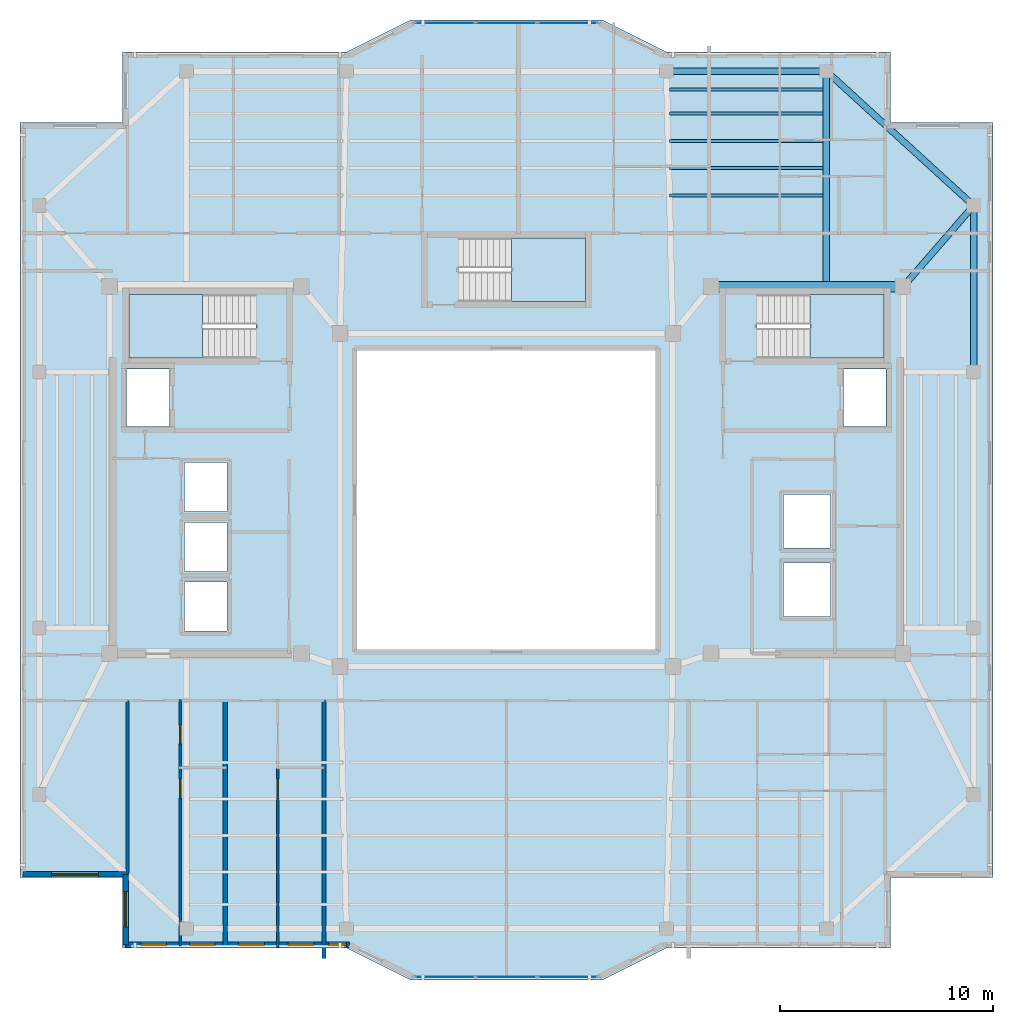
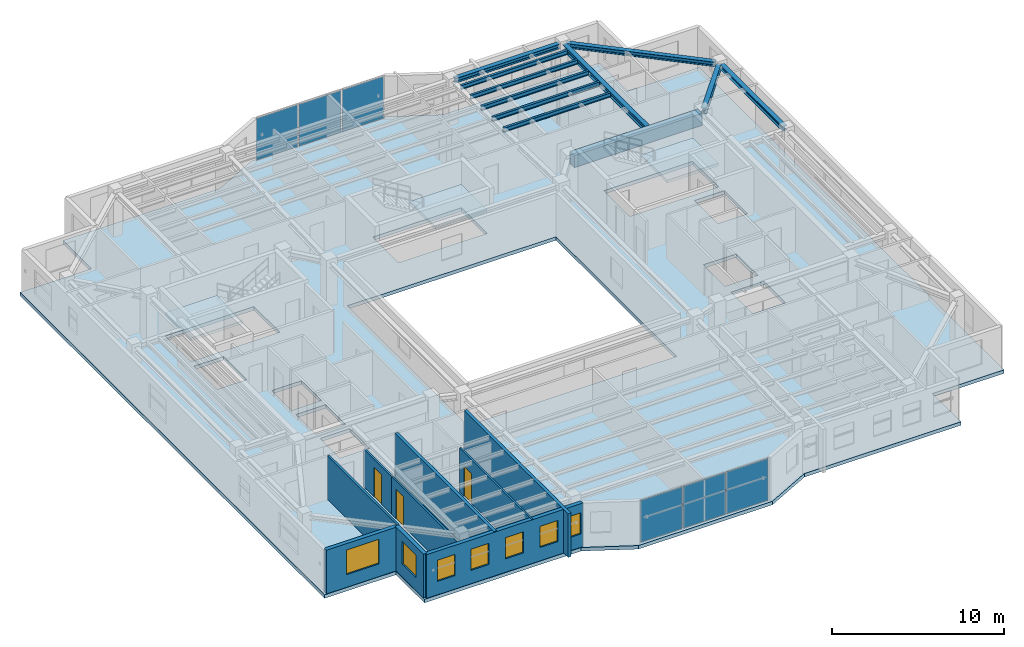
# One storey, part 5 of 14: 11 beams, 9 walls, 7 windows, 6 plates, 4 slabs, 3 doors, 10 openings, 5 elements without a shape of their own.
"""IFC4 building model written with IfcOpenShell, lengths in metres."""

from ifc_helpers import new_model, si_unit, direction, frame, frame_2d, origin, origin_2d, place, context, subcontext, project, spatial, polyline, rectangle, i_section, outline, extrude, material, layer, layer_set, material_profile, profile_set, type_object, element, fill, aggregate, save


model = new_model("IFC4")

# Units and contexts
model_context = context("Model", 3, precision=1e-05, world=origin(), true_north=direction((0.0, 1.0)))
body_context = subcontext(model_context, "Body", "Model", "MODEL_VIEW")
ifc_project = project(units=[si_unit("LENGTHUNIT", "METRE"), si_unit("AREAUNIT", "SQUARE_METRE"), si_unit("VOLUMEUNIT", "CUBIC_METRE"), si_unit("PLANEANGLEUNIT", "RADIAN"), si_unit("MASSUNIT", "GRAM", prefix="KILO")], contexts=[model_context])

# Site, building, storey
site_placement = place(None, origin())
site = spatial("IfcSite", under=ifc_project, at=site_placement, CompositionType="ELEMENT")
building_placement = place(site_placement, origin())
building = spatial("IfcBuilding", under=site, at=building_placement, Name="Tarnavaz Court Tower", CompositionType="ELEMENT")
storey_placement = place(building_placement, frame((0.0, 0.0, 254.89990234375)))
storey = spatial("IfcBuildingStorey", under=building, at=storey_placement, Name="L69", CompositionType="ELEMENT", Elevation=254.89990234375)

# Beams
ifc_material_1 = material(Name="Concrete C50/60", Category="concrete")
ifc_material_profile_1 = material_profile(ifc_material_1, rectangle(XDim=0.5, YDim=0.85009765625, at=origin_2d()), Name="RC 500X850")
ifc_profile_set_1 = profile_set([ifc_material_profile_1], Name="Concrete C50/60")
beam_type_1 = type_object("IfcBeamType", Name="BM-CB850", PredefinedType="LINTEL", material=ifc_profile_set_1)
beam_1_placement = place(storey_placement, frame((18.3798828125, 10.0, 2.675048828125), z_axis=(-1.0, 0.0, 0.0), x_axis=(0.0, -1.0, 0.0)))
element("IfcBeam", 1, at=beam_1_placement, inside=storey, type_object=beam_type_1, Name="L69 Beam IN-CE-NO-CE-NI", PredefinedType="LINTEL", context=body_context, shape_type="SweptSolid", body=[
    extrude(rectangle(XDim=0.5, YDim=0.85009765625, at=origin_2d()), origin(), (0.0, 0.0, 1.0), 8.559814453125),
])
ifc_material_2 = material(Name="Steel S355", Category="steel")
ifc_material_profile_2 = material_profile(ifc_material_2, i_section(OverallWidth=0.300048828125, OverallDepth=0.39990234375, WebThickness=0.013427734375, FlangeThickness=0.02392578125, FilletRadius=0.027099609375, at=origin_2d()), Name="HEB 400")
ifc_profile_set_2 = profile_set([ifc_material_profile_2], Name="Steel S355")
beam_type_2 = type_object("IfcBeamType", Name="BM-G-HEB400", PredefinedType="USERDEFINED", material=ifc_profile_set_2)
beam_2_placement = place(storey_placement, frame((15.0, 10.0400390625, 2.900146484375), z_axis=(0.0, 1.0, 0.0), x_axis=(-1.0, 0.0, 0.0)))
element("IfcBeam", 2, at=beam_2_placement, inside=storey, type_object=beam_type_2, Name="L69 Beam RG-04", ObjectType="GIRDER", PredefinedType="USERDEFINED", context=body_context, shape_type="SweptSolid", body=[
    extrude(i_section(OverallWidth=0.300048828125, OverallDepth=0.39990234375, WebThickness=0.013427734375, FlangeThickness=0.02392578125, FilletRadius=0.027099609375, at=origin_2d()), origin(), (0.0, 0.0, 1.0), 9.83984375),
])
beam_3_placement = place(storey_placement, frame((18.744384765625, 10.166015625, 2.900146484375), z_axis=(0.65565475567, 0.755060819648, 0.0), x_axis=(-0.755060819648, 0.65565475567, 0.0)))
element("IfcBeam", 3, at=beam_3_placement, inside=storey, type_object=beam_type_2, Name="L69 Beam RG-12", ObjectType="GIRDER", PredefinedType="USERDEFINED", context=body_context, shape_type="SweptSolid", body=[
    extrude(i_section(OverallWidth=0.300048828125, OverallDepth=0.39990234375, WebThickness=0.013427734375, FlangeThickness=0.02392578125, FilletRadius=0.027099609375, at=origin_2d()), origin(), (0.0, 0.0, 1.0), 4.5927734375),
])
ifc_material_profile_3 = material_profile(ifc_material_2, i_section(OverallWidth=0.14990234375, OverallDepth=0.300048828125, WebThickness=0.007080078125, FlangeThickness=0.0107421875, FilletRadius=0.014892578125, at=origin_2d()), Name="IPE 300")
ifc_profile_set_3 = profile_set([ifc_material_profile_3], Name="Steel S355")
beam_type_3 = type_object("IfcBeamType", Name="BM-J-IPE300", PredefinedType="JOIST", material=ifc_profile_set_3)
for number, where, z_axis, x_axis, name in (
    (4, (7.64990234375, 14.278076171875, 2.9501953125), (1.0, 0.0, 0.0), (0.0, 1.0, 0.0), "L69 Beam JN1-3"),
    (5, (7.64990234375, 15.555908203125, 2.9501953125), (1.0, 0.0, 0.0), (0.0, 1.0, 0.0), "L69 Beam JN2-3"),
    (6, (7.64990234375, 16.833984375, 2.9501953125), (1.0, 0.0, 0.0), (0.0, 1.0, 0.0), "L69 Beam JN3-3"),
    (7, (7.64990234375, 18.112060546875, 2.9501953125), (1.0, 0.0, 0.0), (0.0, 1.0, 0.0), "L69 Beam JN4-3"),
    (8, (7.64990234375, 19.248046875, 2.9501953125), (1.0, 0.0, 0.0), (0.0, 1.0, 0.0), "L69 Beam JN5-3"),
):
    element("IfcBeam", number, at=place(storey_placement, frame(where, z_axis=z_axis, x_axis=x_axis)), inside=storey, type_object=beam_type_3, Name=name, PredefinedType="JOIST", context=body_context, shape_type="SweptSolid", body=[
        extrude(i_section(OverallWidth=0.14990234375, OverallDepth=0.300048828125, WebThickness=0.007080078125, FlangeThickness=0.0107421875, FilletRadius=0.014892578125, at=origin_2d()), origin(), (0.0, 0.0, 1.0), 7.2001953125),
    ])
ifc_material_profile_4 = material_profile(ifc_material_2, i_section(OverallWidth=0.300048828125, OverallDepth=0.330078125, WebThickness=0.009521484375, FlangeThickness=0.0166015625, FilletRadius=0.027099609375, at=origin_2d()), Name="HEA 340")
ifc_profile_set_4 = profile_set([ifc_material_profile_4], Name="Steel S355")
beam_type_4 = type_object("IfcBeamType", Name="BM-SP-HEA340", PredefinedType="BEAM", material=ifc_profile_set_4)
beam_4_placement = place(storey_placement, frame((7.719970703125, 20.10009765625, 2.93505859375), z_axis=(1.0, 0.0, 0.0), x_axis=(0.0, 1.0, 0.0)))
element("IfcBeam", 9, at=beam_4_placement, inside=storey, type_object=beam_type_4, Name="L69 Beam PR-PN-3-PN-4", PredefinedType="BEAM", context=body_context, shape_type="SweptSolid", body=[
    extrude(i_section(OverallWidth=0.300048828125, OverallDepth=0.330078125, WebThickness=0.009521484375, FlangeThickness=0.0166015625, FilletRadius=0.027099609375, at=origin_2d()), origin(), (0.0, 0.0, 1.0), 7.06005859375),
])
beam_5_placement = place(storey_placement, frame((21.89990234375, 6.219970703125, 2.93505859375), z_axis=(0.0, 1.0, 0.0), x_axis=(-1.0, 0.0, 0.0)))
element("IfcBeam", 10, at=beam_5_placement, inside=storey, type_object=beam_type_4, Name="L69 Beam PR-PE-3-PE-4", PredefinedType="BEAM", context=body_context, shape_type="SweptSolid", body=[
    extrude(i_section(OverallWidth=0.300048828125, OverallDepth=0.330078125, WebThickness=0.009521484375, FlangeThickness=0.0166015625, FilletRadius=0.027099609375, at=origin_2d()), origin(), (0.0, 0.0, 1.0), 7.360107421875),
])
beam_6_placement = place(storey_placement, frame((15.16259765625, 19.95166015625, 2.93505859375), z_axis=(0.738474214476, -0.674281717499, 0.0), x_axis=(0.674281717499, 0.738474214476, 0.0)))
element("IfcBeam", 11, at=beam_6_placement, inside=storey, type_object=beam_type_4, Name="L69 Beam PR-PN-4-PE-4", PredefinedType="BEAM", context=body_context, shape_type="SweptSolid", body=[
    extrude(i_section(OverallWidth=0.300048828125, OverallDepth=0.330078125, WebThickness=0.009521484375, FlangeThickness=0.0166015625, FilletRadius=0.027099609375, at=origin_2d()), origin(), (0.0, 0.0, 1.0), 8.9033203125),
])

# Curtain wall, plates
ifc_material_3 = material(Name="Anodised Aluminium 6063-T6 and Solar Low-E Glazing", Category="aluminium")
ifc_layer_1 = layer(ifc_material_3, 0.159912109375)
ifc_layer_set_1 = layer_set([ifc_layer_1], Name="Anodised Aluminium 6063-T6 and Solar Low-E Glazing")
curtain_wall_type = type_object("IfcCurtainWallType", Name="CW-SYS-03", PredefinedType="NOTDEFINED", material=ifc_layer_set_1)
curtain_wall_1_placement = place(storey_placement, origin())
curtain_wall_1 = element("IfcCurtainWall", 12, at=curtain_wall_1_placement, inside=storey, type_object=curtain_wall_type, Name="L69 Iwan Prow Curtain Wall 7", PredefinedType="NOTDEFINED")
ifc_material_4 = material(Name="Double-Glazed Solar Low-E Glass", Category="glass")
ifc_layer_2 = layer(ifc_material_4, 0.028076171875)
ifc_layer_set_2 = layer_set([ifc_layer_2], Name="Double-Glazed Solar Low-E Glass")
plate_type = type_object("IfcPlateType", Name="CW-PAN-GLZ28", PredefinedType="CURTAIN_PANEL", material=ifc_layer_set_2)
plate_1_placement = place(storey_placement, frame((-2.88134765625, 22.35009765625, 0.06494140625), z_axis=(0.0, 0.0, 1.0), x_axis=(1.0, 0.0, 0.0)))
plate_1 = element("IfcPlate", 13, at=plate_1_placement, type_object=plate_type, Name="CW panel 1.1", PredefinedType="CURTAIN_PANEL", context=body_context, shape_type="SweptSolid", body=[
    extrude(rectangle(XDim=2.78759765625, YDim=0.028076171875, at=origin_2d()), origin(), (0.0, 0.0, 1.0), 2.969970703125),
])
plate_2_placement = place(storey_placement, frame((0.0, 22.35009765625, 0.06494140625), z_axis=(0.0, 0.0, 1.0), x_axis=(1.0, 0.0, 0.0)))
plate_2 = element("IfcPlate", 14, at=plate_2_placement, type_object=plate_type, Name="CW panel 2.1", PredefinedType="CURTAIN_PANEL", context=body_context, shape_type="SweptSolid", body=[
    extrude(rectangle(XDim=2.824951171875, YDim=0.028076171875, at=origin_2d()), origin(), (0.0, 0.0, 1.0), 2.969970703125),
])
plate_3_placement = place(storey_placement, frame((2.88134765625, 22.35009765625, 0.06494140625), z_axis=(0.0, 0.0, 1.0), x_axis=(1.0, 0.0, 0.0)))
plate_3 = element("IfcPlate", 15, at=plate_3_placement, type_object=plate_type, Name="CW panel 3.1", PredefinedType="CURTAIN_PANEL", context=body_context, shape_type="SweptSolid", body=[
    extrude(rectangle(XDim=2.78759765625, YDim=0.028076171875, at=origin_2d()), origin(), (0.0, 0.0, 1.0), 2.969970703125),
])
aggregate(curtain_wall_1, [plate_1, plate_2, plate_3])

curtain_wall_2_placement = place(storey_placement, origin())
curtain_wall_2 = element("IfcCurtainWall", 16, at=curtain_wall_2_placement, inside=storey, type_object=curtain_wall_type, Name="L69 Iwan Prow Curtain Wall 17", PredefinedType="NOTDEFINED")
plate_4_placement = place(storey_placement, frame((2.88134765625, -22.35009765625, 0.06494140625), z_axis=(0.0, 0.0, 1.0), x_axis=(-1.0, 0.0, 0.0)))
plate_4 = element("IfcPlate", 17, at=plate_4_placement, type_object=plate_type, Name="CW panel 1.1", PredefinedType="CURTAIN_PANEL", context=body_context, shape_type="SweptSolid", body=[
    extrude(rectangle(XDim=2.78759765625, YDim=0.028076171875, at=origin_2d()), origin(), (0.0, 0.0, 1.0), 2.969970703125),
])
plate_5_placement = place(storey_placement, frame((0.0, -22.35009765625, 0.06494140625), z_axis=(0.0, 0.0, 1.0), x_axis=(-1.0, 0.0, 0.0)))
plate_5 = element("IfcPlate", 18, at=plate_5_placement, type_object=plate_type, Name="CW panel 2.1", PredefinedType="CURTAIN_PANEL", context=body_context, shape_type="SweptSolid", body=[
    extrude(rectangle(XDim=2.824951171875, YDim=0.028076171875, at=origin_2d()), origin(), (0.0, 0.0, 1.0), 2.969970703125),
])
plate_6_placement = place(storey_placement, frame((-2.88134765625, -22.35009765625, 0.06494140625), z_axis=(0.0, 0.0, 1.0), x_axis=(-1.0, 0.0, 0.0)))
plate_6 = element("IfcPlate", 19, at=plate_6_placement, type_object=plate_type, Name="CW panel 3.1", PredefinedType="CURTAIN_PANEL", context=body_context, shape_type="SweptSolid", body=[
    extrude(rectangle(XDim=2.78759765625, YDim=0.028076171875, at=origin_2d()), origin(), (0.0, 0.0, 1.0), 2.969970703125),
])
aggregate(curtain_wall_2, [plate_4, plate_5, plate_6])

# Stair, slab
ifc_material_5 = material(Name="Concrete C40/50", Category="concrete")
stair_type = type_object("IfcStairType", Name="ST-TWR-20R", PredefinedType="HALF_TURN_STAIR", material=ifc_material_5)
stair_1_placement = place(storey_placement, origin())
stair_1 = element("IfcStair", 20, at=stair_1_placement, inside=storey, type_object=stair_type, Name="L69 West Core Pressurized Exit Stair ST-W1", PredefinedType="HALF_TURN_STAIR")
ifc_layer_3 = layer(ifc_material_5, 0.199951171875)
ifc_layer_set_3 = layer_set([ifc_layer_3], Name="Concrete C40/50")
slab_type_1 = type_object("IfcSlabType", Name="SL-LAND-200", PredefinedType="LANDING", material=ifc_layer_set_3)
slab_1_placement = place(storey_placement, frame((0.0, 0.0, 1.47509765625)))
slab_1 = element("IfcSlab", 21, at=slab_1_placement, type_object=slab_type_1, Name="ST-W1 landing 1", PredefinedType="LANDING", context=body_context, shape_type="SweptSolid", body=[
    extrude(outline(polyline([(-14.239990234375, 9.639892578125), (-17.699951171875, 9.639892578125), (-17.699951171875, 6.64990234375), (-14.239990234375, 6.64990234375), (-14.239990234375, 9.639892578125)])), origin(), (0.0, 0.0, 1.0), 0.199951171875),
])
aggregate(stair_1, [slab_1])

stair_2_placement = place(storey_placement, origin())
stair_2 = element("IfcStair", 22, at=stair_2_placement, inside=storey, type_object=stair_type, Name="L69 East Core Pressurized Exit Stair ST-E1", PredefinedType="HALF_TURN_STAIR")
slab_2_placement = place(storey_placement, frame((0.0, 0.0, 1.47509765625)))
slab_2 = element("IfcSlab", 23, at=slab_2_placement, type_object=slab_type_1, Name="ST-E1 landing 1", PredefinedType="LANDING", context=body_context, shape_type="SweptSolid", body=[
    extrude(outline(polyline([(14.239990234375, 6.64990234375), (17.699951171875, 6.64990234375), (17.699951171875, 9.639892578125), (14.239990234375, 9.639892578125), (14.239990234375, 6.64990234375)])), origin(), (0.0, 0.0, 1.0), 0.199951171875),
])
aggregate(stair_2, [slab_2])

stair_3_placement = place(storey_placement, origin())
stair_3 = element("IfcStair", 24, at=stair_3_placement, inside=storey, type_object=stair_type, Name="L69 North Ring Pressurized Exit Stair ST-N1", PredefinedType="HALF_TURN_STAIR")
slab_3_placement = place(storey_placement, frame((0.0, 0.0, 1.47509765625)))
slab_3 = element("IfcSlab", 25, at=slab_3_placement, type_object=slab_type_1, Name="ST-N1 landing 1", PredefinedType="LANDING", context=body_context, shape_type="SweptSolid", body=[
    extrude(outline(polyline([(0.239990234375, 9.300048828125), (3.699951171875, 9.300048828125), (3.699951171875, 12.2900390625), (0.239990234375, 12.2900390625), (0.239990234375, 9.300048828125)])), origin(), (0.0, 0.0, 1.0), 0.199951171875),
])
aggregate(stair_3, [slab_3])

# Slab
ifc_layer_4 = layer(ifc_material_5, 0.25)
ifc_layer_set_4 = layer_set([ifc_layer_4], Name="Concrete C40/50")
slab_type_2 = type_object("IfcSlabType", Name="SL-RES-250", PredefinedType="FLOOR", material=ifc_layer_set_4)
slab_4_placement = place(storey_placement, frame((0.0, 0.0, -0.25)))
element("IfcSlab", 26, at=slab_4_placement, inside=storey, type_object=slab_type_2, Name="L69 Structural Floor Slab", PredefinedType="FLOOR", context=body_context, shape_type="SweptSolid", body=[
    extrude(outline(polyline([(-18.0, -21.0), (-7.5, -21.0), (-4.5, -22.5), (4.5, -22.5), (7.5, -21.0), (18.0, -21.0), (18.0, -17.699951171875), (22.800048828125, -17.699951171875), (22.800048828125, 17.699951171875), (18.0, 17.699951171875), (18.0, 21.0), (7.5, 21.0), (4.5, 22.5), (-4.5, 22.5), (-7.5, 21.0), (-18.0, 21.0), (-18.0, 17.699951171875), (-22.800048828125, 17.699951171875), (-22.800048828125, -17.699951171875), (-18.0, -17.699951171875), (-18.0, -21.0)]), holes=[polyline([(-7.0, -7.0), (7.0, -7.0), (7.0, 7.0), (-7.0, 7.0), (-7.0, -7.0)]), polyline([(-11.7451171875, 9.639892578125), (-17.699951171875, 9.639892578125), (-17.699951171875, 6.64990234375), (-11.7451171875, 6.64990234375), (-11.7451171875, 9.639892578125)]), polyline([(11.7451171875, 6.64990234375), (17.699951171875, 6.64990234375), (17.699951171875, 9.639892578125), (11.7451171875, 9.639892578125), (11.7451171875, 6.64990234375)]), polyline([(-2.2548828125, 9.300048828125), (3.699951171875, 9.300048828125), (3.699951171875, 12.2900390625), (-2.2548828125, 12.2900390625), (-2.2548828125, 9.300048828125)]), polyline([(-17.800048828125, 3.449951171875), (-15.800048828125, 3.449951171875), (-15.800048828125, 6.14990234375), (-17.800048828125, 6.14990234375), (-17.800048828125, 3.449951171875)]), polyline([(-15.10009765625, -6.14990234375), (-13.10009765625, -6.14990234375), (-13.10009765625, -3.85009765625), (-15.10009765625, -3.85009765625), (-15.10009765625, -6.14990234375)]), polyline([(-15.10009765625, -3.35009765625), (-13.10009765625, -3.35009765625), (-13.10009765625, -1.050048828125), (-15.10009765625, -1.050048828125), (-15.10009765625, -3.35009765625)]), polyline([(-15.10009765625, -0.550048828125), (-13.10009765625, -0.550048828125), (-13.10009765625, 1.75), (-15.10009765625, 1.75), (-15.10009765625, -0.550048828125)]), polyline([(15.800048828125, 3.449951171875), (17.800048828125, 3.449951171875), (17.800048828125, 6.14990234375), (15.800048828125, 6.14990234375), (15.800048828125, 3.449951171875)]), polyline([(13.0, -5.449951171875), (15.199951171875, -5.449951171875), (15.199951171875, -2.949951171875), (13.0, -2.949951171875), (13.0, -5.449951171875)]), polyline([(13.0, -2.25), (15.199951171875, -2.25), (15.199951171875, 0.25), (13.0, 0.25), (13.0, -2.25)])]), origin(), (0.0, 0.0, 1.0), 0.25),
])

# Wall, opening, window
ifc_material_6 = material(Name="Precast Concrete C40/50", Category="concrete")
ifc_layer_5 = layer(ifc_material_6, 0.260009765625)
ifc_layer_set_5 = layer_set([ifc_layer_5], Name="Precast Concrete C40/50")
wall_type_1 = type_object("IfcWallType", Name="WL-EXT-260", PredefinedType="SOLIDWALL", material=ifc_layer_set_5)
wall_1_placement = place(storey_placement, frame((-17.85009765625, -17.550048828125, 0.0), z_axis=(0.0, 0.0, 1.0), x_axis=(-1.0, 0.0, 0.0)))
wall_1 = element("IfcWall", 27, at=wall_1_placement, inside=storey, type_object=wall_type_1, Name="L69 Exterior Terracotta Facade Wall 01", PredefinedType="SOLIDWALL", context=body_context, shape_type="SweptSolid", body=[
    extrude(rectangle(XDim=4.7998046875, YDim=0.260009765625, at=frame_2d((2.39990234375, 0.0))), origin(), (0.0, 0.0, 1.0), 3.10009765625),
])
opening_1_placement = place(wall_1_placement, frame((1.274658203125, 0.0, 0.89990234375)))
opening_1 = element("IfcOpeningElement", 28, at=opening_1_placement, cuts=wall_1, Name="Opening W07", PredefinedType="OPENING", context=body_context, shape_type="SweptSolid", body=[
    extrude(rectangle(XDim=2.199951171875, YDim=1.75, at=frame_2d((1.10009765625, 0.875))), frame((0.0, 0.139892578125, 0.0), z_axis=(0.0, -1.0, 0.0), x_axis=(1.0, 0.0, 0.0)), (0.0, 0.0, 1.0), 0.280029296875),
])
window_type_1 = type_object("IfcWindowType", Name="WN-APT-2200", PartitioningType="TRIPLE_PANEL_VERTICAL", PredefinedType="WINDOW", material=ifc_material_4)
window_1_placement = place(opening_1_placement, origin())
window_1 = element("IfcWindow", 29, at=window_1_placement, inside=storey, type_object=window_type_1, Name="L69 South-West Corner Reading Room Window", OverallHeight=1.75, OverallWidth=2.199951171875, PartitioningType="SINGLE_PANEL", PredefinedType="WINDOW", context=body_context, shape_type="SweptSolid", body=[
    extrude(rectangle(XDim=2.199951171875, YDim=1.75, at=frame_2d((1.10009765625, 0.875))), frame((0.0, 0.030029296875, 0.0), z_axis=(0.0, -1.0, 0.0), x_axis=(1.0, 0.0, 0.0)), (0.0, 0.0, 1.0), 0.06005859375),
])
fill(opening_1, window_1)

# Wall, openings, windows
wall_2_placement = place(storey_placement, frame((-7.35009765625, -20.85009765625, 0.0), z_axis=(0.0, 0.0, 1.0), x_axis=(-1.0, 0.0, 0.0)))
wall_2 = element("IfcWall", 30, at=wall_2_placement, inside=storey, type_object=wall_type_1, Name="L69 Exterior Terracotta Facade Wall 19", PredefinedType="SOLIDWALL", context=body_context, shape_type="SweptSolid", body=[
    extrude(rectangle(XDim=10.5, YDim=0.260009765625, at=frame_2d((5.25, 0.0))), origin(), (0.0, 0.0, 1.0), 3.10009765625),
])
opening_2_placement = place(wall_2_placement, frame((0.14501953125, 0.0, 0.949951171875)))
opening_2 = element("IfcOpeningElement", 31, at=opening_2_placement, cuts=wall_2, Name="Opening W15", PredefinedType="OPENING", context=body_context, shape_type="SweptSolid", body=[
    extrude(rectangle(XDim=0.85009765625, YDim=1.5, at=frame_2d((0.425048828125, 0.75))), frame((0.0, 0.139892578125, 0.0), z_axis=(0.0, -1.0, 0.0), x_axis=(1.0, 0.0, 0.0)), (0.0, 0.0, 1.0), 0.280029296875),
])
opening_3_placement = place(wall_2_placement, frame((1.677490234375, 0.0, 0.949951171875)))
opening_3 = element("IfcOpeningElement", 32, at=opening_3_placement, cuts=wall_2, Name="Opening W05", PredefinedType="OPENING", context=body_context, shape_type="SweptSolid", body=[
    extrude(rectangle(XDim=1.199951171875, YDim=1.5, at=frame_2d((0.60009765625, 0.75))), frame((0.0, 0.139892578125, 0.0), z_axis=(0.0, -1.0, 0.0), x_axis=(1.0, 0.0, 0.0)), (0.0, 0.0, 1.0), 0.280029296875),
])
opening_4_placement = place(wall_2_placement, frame((4.0, 0.0, 0.949951171875)))
opening_4 = element("IfcOpeningElement", 33, at=opening_4_placement, cuts=wall_2, Name="Opening W05", PredefinedType="OPENING", context=body_context, shape_type="SweptSolid", body=[
    extrude(rectangle(XDim=1.199951171875, YDim=1.5, at=frame_2d((0.60009765625, 0.75))), frame((0.0, 0.139892578125, 0.0), z_axis=(0.0, -1.0, 0.0), x_axis=(1.0, 0.0, 0.0)), (0.0, 0.0, 1.0), 0.280029296875),
])
opening_5_placement = place(wall_2_placement, frame((6.302490234375, 0.0, 0.949951171875)))
opening_5 = element("IfcOpeningElement", 34, at=opening_5_placement, cuts=wall_2, Name="Opening W05", PredefinedType="OPENING", context=body_context, shape_type="SweptSolid", body=[
    extrude(rectangle(XDim=1.199951171875, YDim=1.5, at=frame_2d((0.60009765625, 0.75))), frame((0.0, 0.139892578125, 0.0), z_axis=(0.0, -1.0, 0.0), x_axis=(1.0, 0.0, 0.0)), (0.0, 0.0, 1.0), 0.280029296875),
])
opening_6_placement = place(wall_2_placement, frame((8.574951171875, 0.0, 0.949951171875)))
opening_6 = element("IfcOpeningElement", 35, at=opening_6_placement, cuts=wall_2, Name="Opening W05", PredefinedType="OPENING", context=body_context, shape_type="SweptSolid", body=[
    extrude(rectangle(XDim=1.199951171875, YDim=1.5, at=frame_2d((0.60009765625, 0.75))), frame((0.0, 0.139892578125, 0.0), z_axis=(0.0, -1.0, 0.0), x_axis=(1.0, 0.0, 0.0)), (0.0, 0.0, 1.0), 0.280029296875),
])
window_type_2 = type_object("IfcWindowType", Name="WN-APT-1200", PartitioningType="SINGLE_PANEL", PredefinedType="WINDOW", material=ifc_material_4)
window_2_placement = place(opening_3_placement, origin())
window_2 = element("IfcWindow", 36, at=window_2_placement, inside=storey, type_object=window_type_2, Name="L69 Flat 04 Kitchen Window", OverallHeight=1.5, OverallWidth=1.199951171875, PartitioningType="SINGLE_PANEL", PredefinedType="WINDOW", context=body_context, shape_type="SweptSolid", body=[
    extrude(rectangle(XDim=1.199951171875, YDim=1.5, at=frame_2d((0.60009765625, 0.75))), frame((0.0, 0.030029296875, 0.0), z_axis=(0.0, -1.0, 0.0), x_axis=(1.0, 0.0, 0.0)), (0.0, 0.0, 1.0), 0.06005859375),
])
fill(opening_3, window_2)
window_3_placement = place(opening_4_placement, origin())
window_3 = element("IfcWindow", 37, at=window_3_placement, inside=storey, type_object=window_type_2, Name="L69 Flat 04 Studio Living and Sleeping Room Window", OverallHeight=1.5, OverallWidth=1.199951171875, PartitioningType="SINGLE_PANEL", PredefinedType="WINDOW", context=body_context, shape_type="SweptSolid", body=[
    extrude(rectangle(XDim=1.199951171875, YDim=1.5, at=frame_2d((0.60009765625, 0.75))), frame((0.0, 0.030029296875, 0.0), z_axis=(0.0, -1.0, 0.0), x_axis=(1.0, 0.0, 0.0)), (0.0, 0.0, 1.0), 0.06005859375),
])
fill(opening_4, window_3)
window_4_placement = place(opening_5_placement, origin())
window_4 = element("IfcWindow", 38, at=window_4_placement, inside=storey, type_object=window_type_2, Name="L69 Flat 03 Kitchen Window", OverallHeight=1.5, OverallWidth=1.199951171875, PartitioningType="SINGLE_PANEL", PredefinedType="WINDOW", context=body_context, shape_type="SweptSolid", body=[
    extrude(rectangle(XDim=1.199951171875, YDim=1.5, at=frame_2d((0.60009765625, 0.75))), frame((0.0, 0.030029296875, 0.0), z_axis=(0.0, -1.0, 0.0), x_axis=(1.0, 0.0, 0.0)), (0.0, 0.0, 1.0), 0.06005859375),
])
fill(opening_5, window_4)
window_5_placement = place(opening_6_placement, origin())
window_5 = element("IfcWindow", 39, at=window_5_placement, inside=storey, type_object=window_type_2, Name="L69 Flat 03 Studio Living and Sleeping Room Window", OverallHeight=1.5, OverallWidth=1.199951171875, PartitioningType="SINGLE_PANEL", PredefinedType="WINDOW", context=body_context, shape_type="SweptSolid", body=[
    extrude(rectangle(XDim=1.199951171875, YDim=1.5, at=frame_2d((0.60009765625, 0.75))), frame((0.0, 0.030029296875, 0.0), z_axis=(0.0, -1.0, 0.0), x_axis=(1.0, 0.0, 0.0)), (0.0, 0.0, 1.0), 0.06005859375),
])
fill(opening_6, window_5)
window_type_3 = type_object("IfcWindowType", Name="WN-APT-850", PartitioningType="SINGLE_PANEL", PredefinedType="WINDOW", material=ifc_material_4)
window_6_placement = place(opening_2_placement, origin())
window_6 = element("IfcWindow", 40, at=window_6_placement, inside=storey, type_object=window_type_3, Name="L69 South Courtyard Majlis Lounge Window", OverallHeight=1.5, OverallWidth=0.85009765625, PartitioningType="SINGLE_PANEL", PredefinedType="WINDOW", context=body_context, shape_type="SweptSolid", body=[
    extrude(rectangle(XDim=0.85009765625, YDim=1.5, at=frame_2d((0.425048828125, 0.75))), frame((0.0, 0.030029296875, 0.0), z_axis=(0.0, -1.0, 0.0), x_axis=(1.0, 0.0, 0.0)), (0.0, 0.0, 1.0), 0.06005859375),
])
fill(opening_2, window_6)

# Wall, opening, window
wall_3_placement = place(storey_placement, frame((-17.85009765625, -20.85009765625, 0.0), z_axis=(0.0, 0.0, 1.0), x_axis=(0.0, 1.0, 0.0)))
wall_3 = element("IfcWall", 41, at=wall_3_placement, inside=storey, type_object=wall_type_1, Name="L69 Exterior Terracotta Facade Wall 20", PredefinedType="SOLIDWALL", context=body_context, shape_type="SweptSolid", body=[
    extrude(rectangle(XDim=3.300048828125, YDim=0.260009765625, at=frame_2d((1.64990234375, 0.0))), origin(), (0.0, 0.0, 1.0), 3.10009765625),
])
opening_7_placement = place(wall_3_placement, frame((0.842529296875, 0.0, 0.89990234375)))
opening_7 = element("IfcOpeningElement", 42, at=opening_7_placement, cuts=wall_3, Name="Opening W02", PredefinedType="OPENING", context=body_context, shape_type="SweptSolid", body=[
    extrude(rectangle(XDim=1.64990234375, YDim=1.60009765625, at=frame_2d((0.824951171875, 0.800048828125))), frame((0.0, 0.139892578125, 0.0), z_axis=(0.0, -1.0, 0.0), x_axis=(1.0, 0.0, 0.0)), (0.0, 0.0, 1.0), 0.280029296875),
])
window_type_4 = type_object("IfcWindowType", Name="WN-APT-1650", PartitioningType="DOUBLE_PANEL_VERTICAL", PredefinedType="WINDOW", material=ifc_material_4)
window_7_placement = place(opening_7_placement, origin())
window_7 = element("IfcWindow", 43, at=window_7_placement, inside=storey, type_object=window_type_4, Name="L69 Flat 03 Studio Living and Sleeping Room Window", OverallHeight=1.60009765625, OverallWidth=1.64990234375, PartitioningType="SINGLE_PANEL", PredefinedType="WINDOW", context=body_context, shape_type="SweptSolid", body=[
    extrude(rectangle(XDim=1.64990234375, YDim=1.60009765625, at=frame_2d((0.824951171875, 0.800048828125))), frame((0.0, 0.030029296875, 0.0), z_axis=(0.0, -1.0, 0.0), x_axis=(1.0, 0.0, 0.0)), (0.0, 0.0, 1.0), 0.06005859375),
])
fill(opening_7, window_7)

# Walls
ifc_material_7 = material(Name="Autoclaved Aerated Concrete Blockwork", Category="masonry")
ifc_layer_6 = layer(ifc_material_7, 0.199951171875)
ifc_layer_set_6 = layer_set([ifc_layer_6], Name="Autoclaved Aerated Concrete Blockwork")
wall_type_2 = type_object("IfcWallType", Name="WL-FIRE-200", PredefinedType="SOLIDWALL", material=ifc_layer_set_6)
wall_4_placement = place(storey_placement, frame((-13.175048828125, -20.89990234375, 0.0), z_axis=(0.0, 0.0, 1.0), x_axis=(0.0, 1.0, 0.0)))
element("IfcWall", 44, at=wall_4_placement, inside=storey, type_object=wall_type_2, Name="L69 Party Wall 078", PredefinedType="SOLIDWALL", context=body_context, shape_type="SweptSolid", body=[
    extrude(rectangle(XDim=11.5, YDim=0.199951171875, at=frame_2d((5.75, 0.0))), origin(), (0.0, 0.0, 1.0), 3.10009765625),
])
wall_5_placement = place(storey_placement, frame((-8.550048828125, -21.50390625, 0.0), z_axis=(0.0, 0.0, 1.0), x_axis=(0.0, 1.0, 0.0)))
element("IfcWall", 45, at=wall_5_placement, inside=storey, type_object=wall_type_2, Name="L69 Party Wall 092", PredefinedType="SOLIDWALL", context=body_context, shape_type="SweptSolid", body=[
    extrude(rectangle(XDim=12.10400390625, YDim=0.199951171875, at=frame_2d((6.052001953125, 0.0))), origin(), (0.0, 0.0, 1.0), 3.10009765625),
])

# Wall, opening, door
ifc_material_8 = material(Name="Moisture-Resistant Gypsum Board Partition", Category="masonry")
ifc_layer_7 = layer(ifc_material_8, 0.1201171875)
ifc_layer_set_7 = layer_set([ifc_layer_7], Name="Moisture-Resistant Gypsum Board Partition")
wall_type_3 = type_object("IfcWallType", Name="WL-PART-120", PredefinedType="PARTITIONING", material=ifc_layer_set_7)
wall_6_placement = place(storey_placement, frame((-15.2900390625, -20.89990234375, 0.0), z_axis=(0.0, 0.0, 1.0), x_axis=(0.0, 1.0, 0.0)))
wall_6 = element("IfcWall", 46, at=wall_6_placement, inside=storey, type_object=wall_type_3, Name="L69 Interior Partition 079", PredefinedType="PARTITIONING", context=body_context, shape_type="SweptSolid", body=[
    extrude(rectangle(XDim=8.33984375, YDim=0.1201171875, at=frame_2d((4.169921875, 0.0))), origin(), (0.0, 0.0, 1.0), 2.68505859375),
])
opening_8_placement = place(wall_6_placement, frame((6.93994140625, 0.0, 0.0)))
opening_8 = element("IfcOpeningElement", 47, at=opening_8_placement, cuts=wall_6, Name="Opening D14", PredefinedType="OPENING", context=body_context, shape_type="SweptSolid", body=[
    extrude(rectangle(XDim=0.8798828125, YDim=2.10009765625, at=frame_2d((0.43994140625, 1.050048828125))), frame((0.0, 0.070068359375, 0.0), z_axis=(0.0, -1.0, 0.0), x_axis=(1.0, 0.0, 0.0)), (0.0, 0.0, 1.0), 0.14013671875),
])
ifc_material_9 = material(Name="Engineered Oak Timber", Category="wood")
door_type = type_object("IfcDoorType", Name="DR-INT-900", OperationType="NOTDEFINED", PredefinedType="DOOR", material=ifc_material_9)
door_1_placement = place(opening_8_placement, origin())
door_1 = element("IfcDoor", 48, at=door_1_placement, inside=storey, type_object=door_type, Name="L69 Flat 03 Kitchen Door", OperationType="SINGLE_SWING_RIGHT", OverallHeight=2.10009765625, OverallWidth=0.8798828125, PredefinedType="DOOR", context=body_context, shape_type="SweptSolid", body=[
    extrude(rectangle(XDim=0.8798828125, YDim=2.10009765625, at=frame_2d((0.43994140625, 1.050048828125))), frame((0.0, 0.02490234375, 0.0), z_axis=(0.0, -1.0, 0.0), x_axis=(1.0, 0.0, 0.0)), (0.0, 0.0, 1.0), 0.050048828125),
])
fill(opening_8, door_1)

wall_7_placement = place(storey_placement, frame((-15.2900390625, -12.56005859375, 0.0), z_axis=(0.0, 0.0, 1.0), x_axis=(0.0, 1.0, 0.0)))
wall_7 = element("IfcWall", 49, at=wall_7_placement, inside=storey, type_object=wall_type_3, Name="L69 Interior Partition 080", PredefinedType="PARTITIONING", context=body_context, shape_type="SweptSolid", body=[
    extrude(rectangle(XDim=3.219970703125, YDim=0.1201171875, at=frame_2d((1.60986328125, 0.0))), origin(), (0.0, 0.0, 1.0), 2.68505859375),
])
opening_9_placement = place(wall_7_placement, frame((1.139892578125, 0.0, 0.0)))
opening_9 = element("IfcOpeningElement", 50, at=opening_9_placement, cuts=wall_7, Name="Opening D14", PredefinedType="OPENING", context=body_context, shape_type="SweptSolid", body=[
    extrude(rectangle(XDim=0.8798828125, YDim=2.10009765625, at=frame_2d((0.43994140625, 1.050048828125))), frame((0.0, 0.070068359375, 0.0), z_axis=(0.0, -1.0, 0.0), x_axis=(1.0, 0.0, 0.0)), (0.0, 0.0, 1.0), 0.14013671875),
])
door_2_placement = place(opening_9_placement, origin())
door_2 = element("IfcDoor", 51, at=door_2_placement, inside=storey, type_object=door_type, Name="L69 Flat 03 Bathroom Door", OperationType="SINGLE_SWING_LEFT", OverallHeight=2.10009765625, OverallWidth=0.8798828125, PredefinedType="DOOR", context=body_context, shape_type="SweptSolid", body=[
    extrude(rectangle(XDim=0.8798828125, YDim=2.10009765625, at=frame_2d((0.43994140625, 1.050048828125))), frame((0.0, 0.02490234375, 0.0), z_axis=(0.0, -1.0, 0.0), x_axis=(1.0, 0.0, 0.0)), (0.0, 0.0, 1.0), 0.050048828125),
])
fill(opening_9, door_2)

wall_8_placement = place(storey_placement, frame((-10.715087890625, -20.969970703125, 0.0), z_axis=(0.0, 0.0, 1.0), x_axis=(0.0, 1.0, 0.0)))
wall_8 = element("IfcWall", 52, at=wall_8_placement, inside=storey, type_object=wall_type_3, Name="L69 Interior Partition 082", PredefinedType="PARTITIONING", context=body_context, shape_type="SweptSolid", body=[
    extrude(rectangle(XDim=8.409912109375, YDim=0.1201171875, at=frame_2d((4.205078125, 0.0))), origin(), (0.0, 0.0, 1.0), 3.10009765625),
])
opening_10_placement = place(wall_8_placement, frame((7.010009765625, 0.0, 0.0)))
opening_10 = element("IfcOpeningElement", 53, at=opening_10_placement, cuts=wall_8, Name="Opening D14", PredefinedType="OPENING", context=body_context, shape_type="SweptSolid", body=[
    extrude(rectangle(XDim=0.8798828125, YDim=2.10009765625, at=frame_2d((0.43994140625, 1.050048828125))), frame((0.0, 0.070068359375, 0.0), z_axis=(0.0, -1.0, 0.0), x_axis=(1.0, 0.0, 0.0)), (0.0, 0.0, 1.0), 0.14013671875),
])
door_3_placement = place(opening_10_placement, origin())
door_3 = element("IfcDoor", 54, at=door_3_placement, inside=storey, type_object=door_type, Name="L69 Flat 04 Kitchen Door", OperationType="SINGLE_SWING_LEFT", OverallHeight=2.10009765625, OverallWidth=0.8798828125, PredefinedType="DOOR", context=body_context, shape_type="SweptSolid", body=[
    extrude(rectangle(XDim=0.8798828125, YDim=2.10009765625, at=frame_2d((0.43994140625, 1.050048828125))), frame((0.0, 0.02490234375, 0.0), z_axis=(0.0, -1.0, 0.0), x_axis=(1.0, 0.0, 0.0)), (0.0, 0.0, 1.0), 0.050048828125),
])
fill(opening_10, door_3)

# Wall
ifc_material_10 = material(Name="Gypsum Plasterboard Acoustic Partition", Category="masonry")
ifc_layer_8 = layer(ifc_material_10, 0.139892578125)
ifc_layer_set_8 = layer_set([ifc_layer_8], Name="Gypsum Plasterboard Acoustic Partition")
wall_type_4 = type_object("IfcWallType", Name="WL-PART-150", PredefinedType="PARTITIONING", material=ifc_layer_set_8)
wall_9_placement = place(storey_placement, frame((-17.75, -17.550048828125, 0.0), z_axis=(0.0, 0.0, 1.0), x_axis=(0.0, 1.0, 0.0)))
element("IfcWall", 55, at=wall_9_placement, inside=storey, type_object=wall_type_4, Name="L69 Interior Partition 100", PredefinedType="PARTITIONING", context=body_context, shape_type="SweptSolid", body=[
    extrude(rectangle(XDim=8.150146484375, YDim=0.139892578125, at=frame_2d((4.0751953125, 0.0))), origin(), (0.0, 0.0, 1.0), 3.10009765625),
])

save(model, "model.ifc")
